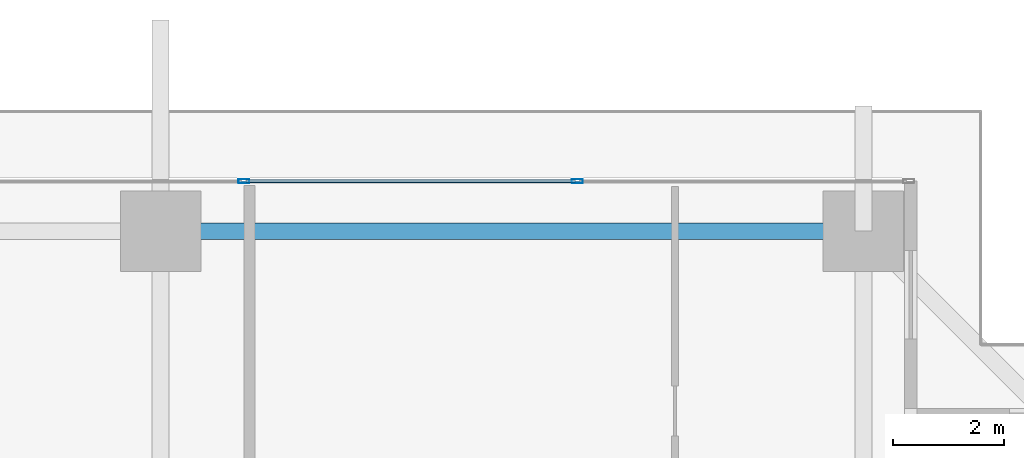
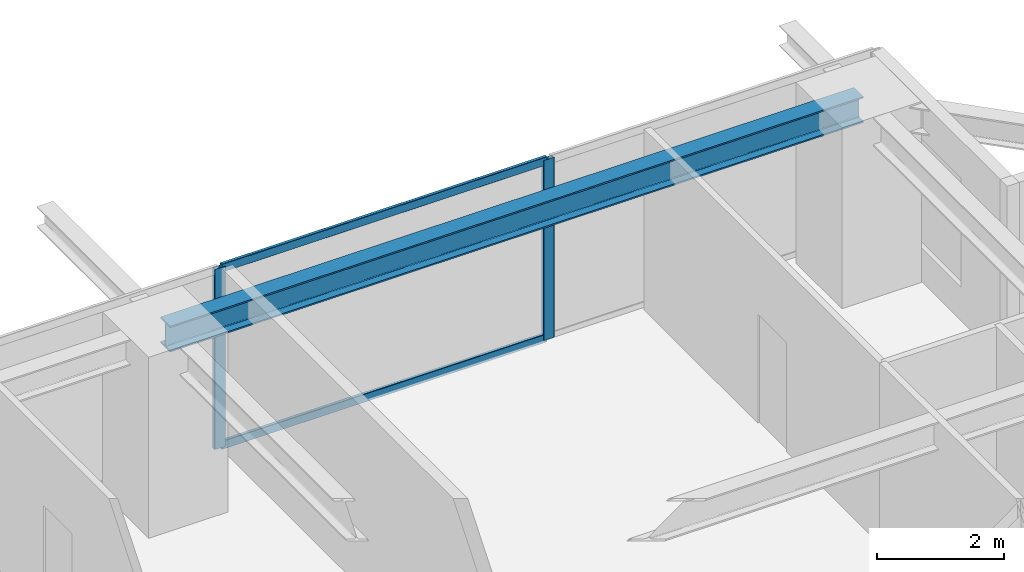
# One storey, part 24 of 39: 4 members, 1 beam, 1 element without a shape of its own.
"""IFC4 building model written with IfcOpenShell, lengths in metres."""

from ifc_helpers import new_model, si_unit, direction, frame, origin, origin_2d, place, context, subcontext, project, spatial, hollow_rectangle, i_section, extrude, source, transform, mapped, material, layer, layer_set, material_profile, profile_set, type_object, element, aggregate, save


model = new_model("IFC4")

# Units and contexts
model_context = context("Model", 3, precision=1e-05, world=origin(), true_north=direction((0.0, 1.0)))
body_context = subcontext(model_context, "Body", "Model", "MODEL_VIEW")
ifc_project = project(units=[si_unit("LENGTHUNIT", "METRE"), si_unit("AREAUNIT", "SQUARE_METRE"), si_unit("VOLUMEUNIT", "CUBIC_METRE"), si_unit("PLANEANGLEUNIT", "RADIAN"), si_unit("MASSUNIT", "GRAM", prefix="KILO")], contexts=[model_context])

# Site, building, storey
site_placement = place(None, origin())
site = spatial("IfcSite", under=ifc_project, at=site_placement, CompositionType="ELEMENT")
building_placement = place(site_placement, origin())
building = spatial("IfcBuilding", under=site, at=building_placement, Name="Serunith Strait Residences", CompositionType="ELEMENT")
storey_placement = place(building_placement, frame((0.0, 0.0, 49.199951171875)))
storey = spatial("IfcBuildingStorey", under=building, at=storey_placement, Name="L11", CompositionType="ELEMENT", Elevation=49.199951171875)

# Beam
ifc_material_1 = material(Name="Steel S355J2", Category="steel")
ifc_material_profile_1 = material_profile(ifc_material_1, i_section(OverallWidth=0.300048828125, OverallDepth=0.5, WebThickness=0.014404296875, FlangeThickness=0.028076171875, FilletRadius=0.027099609375, at=origin_2d()), Name="HEB 500")
ifc_profile_set_1 = profile_set([ifc_material_profile_1], Name="Steel S355J2")
beam_type = type_object("IfcBeamType", Name="BM-HEB500", PredefinedType="BEAM", material=ifc_profile_set_1)
shared_shape_1 = source(origin(), body_context, "Body", "SweptSolid", [
    extrude(i_section(OverallWidth=0.300048828125, OverallDepth=0.5, WebThickness=0.014404296875, FlangeThickness=0.028076171875, FilletRadius=0.027099609375, at=origin_2d()), origin(), (0.0, 0.0, 1.0), 12.650146484375),
])
beam_placement = place(storey_placement, frame((49.550048828125, 49.300048828125, 3.237060546875), z_axis=(-1.0, 0.0, 0.0), x_axis=(0.0, -1.0, 0.0)))
element("IfcBeam", 1, at=beam_placement, inside=storey, type_object=beam_type, Name="L11 Perimeter Ring Beam 09", PredefinedType="BEAM", context=body_context, shape_type="MappedRepresentation", body=[
    mapped(shared_shape_1, transform((0.0, 0.0, 0.0), scale=1.0)),
])

# Curtain wall, members
ifc_material_2 = material(Name="Pale-Champagne Anodised Aluminium", Category="aluminium")
ifc_layer = layer(ifc_material_2, 0.199951171875, Name="Pale-Champagne Anodised Aluminium")
ifc_layer_set = layer_set([ifc_layer], Name="Pale-Champagne Anodised Aluminium")
curtain_wall_type = type_object("IfcCurtainWallType", Name="CW-SYS1", PredefinedType="NOTDEFINED", material=ifc_layer_set)
curtain_wall_placement = place(storey_placement, origin())
curtain_wall = element("IfcCurtainWall", 2, at=curtain_wall_placement, inside=storey, type_object=curtain_wall_type, Name="L11 N Unitised Fritted Curtain Wall", PredefinedType="NOTDEFINED")
ifc_material_profile_2 = material_profile(ifc_material_2, hollow_rectangle(XDim=0.070068359375, YDim=0.199951171875, WallThickness=0.00390625, InnerFilletRadius=0.006103515625, OuterFilletRadius=0.010009765625, at=origin_2d()), Name="ALU 200x70x4")
ifc_profile_set_2 = profile_set([ifc_material_profile_2], Name="Pale-Champagne Anodised Aluminium")
member_type_1 = type_object("IfcMemberType", Name="CW-SYS1-MULL", PredefinedType="MULLION", material=ifc_profile_set_2)
shared_shape_2 = source(origin(), body_context, "Body", "SweptSolid", [
    extrude(hollow_rectangle(XDim=0.070068359375, YDim=0.199951171875, WallThickness=0.00390625, InnerFilletRadius=0.006103515625, OuterFilletRadius=0.010009765625, at=origin_2d()), origin(), (0.0, 0.0, 1.0), 3.47509765625),
])
member_1_placement = place(storey_placement, frame((44.39990234375, 50.199951171875, 0.0), z_axis=(0.0, 0.0, 1.0), x_axis=(0.0, -1.0, 0.0)))
member_1 = element("IfcMember", 3, at=member_1_placement, type_object=member_type_1, Name="CW-1 mullion 2", PredefinedType="MULLION", context=body_context, shape_type="MappedRepresentation", body=[
    mapped(shared_shape_2, transform((0.0, 0.0, 0.0), scale=1.0)),
])
member_2_placement = place(storey_placement, frame((38.39990234375, 50.199951171875, 0.0), z_axis=(0.0, 0.0, 1.0), x_axis=(0.0, -1.0, 0.0)))
member_2 = element("IfcMember", 4, at=member_2_placement, type_object=member_type_1, Name="CW-1 mullion 3", PredefinedType="MULLION", context=body_context, shape_type="MappedRepresentation", body=[
    mapped(shared_shape_2, transform((0.0, 0.0, 0.0), scale=1.0)),
])
ifc_material_profile_3 = material_profile(ifc_material_2, hollow_rectangle(XDim=0.06005859375, YDim=0.159912109375, WallThickness=0.00341796875, InnerFilletRadius=0.00537109375, OuterFilletRadius=0.0087890625, at=origin_2d()), Name="ALU 160x60x3.5")
ifc_profile_set_3 = profile_set([ifc_material_profile_3], Name="Pale-Champagne Anodised Aluminium")
member_type_2 = type_object("IfcMemberType", Name="CW-SYS1-TRAN", PredefinedType="USERDEFINED", material=ifc_profile_set_3)
shared_shape_3 = source(origin(), body_context, "Body", "SweptSolid", [
    extrude(hollow_rectangle(XDim=0.06005859375, YDim=0.159912109375, WallThickness=0.00341796875, InnerFilletRadius=0.00537109375, OuterFilletRadius=0.0087890625, at=origin_2d()), origin(), (0.0, 0.0, 1.0), 5.929931640625),
])
member_3_placement = place(storey_placement, frame((44.364990234375, 50.199951171875, 0.030029296875), z_axis=(-1.0, 0.0, 0.0), x_axis=(0.0, -1.0, 0.0)))
member_3 = element("IfcMember", 5, at=member_3_placement, type_object=member_type_2, Name="CW-1 transom 2.1", ObjectType="TRANSOM", PredefinedType="USERDEFINED", context=body_context, shape_type="MappedRepresentation", body=[
    mapped(shared_shape_3, transform((0.0, 0.0, 0.0), scale=1.0)),
])
member_4_placement = place(storey_placement, frame((44.364990234375, 50.199951171875, 3.445068359375), z_axis=(-1.0, 0.0, 0.0), x_axis=(0.0, -1.0, 0.0)))
member_4 = element("IfcMember", 6, at=member_4_placement, type_object=member_type_2, Name="CW-1 transom 2.2", ObjectType="TRANSOM", PredefinedType="USERDEFINED", context=body_context, shape_type="MappedRepresentation", body=[
    mapped(shared_shape_3, transform((0.0, 0.0, 0.0), scale=1.0)),
])
aggregate(curtain_wall, [member_1, member_2, member_3, member_4])

save(model, "model.ifc")
